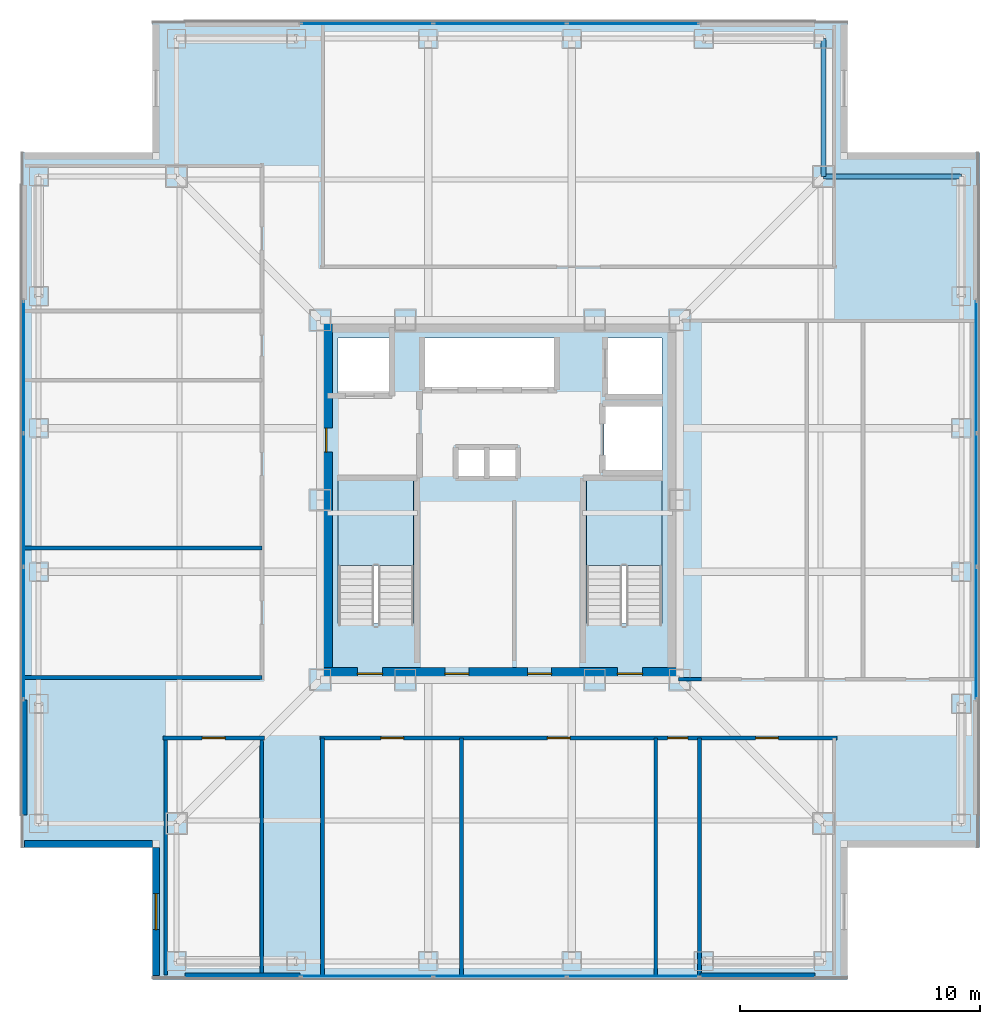
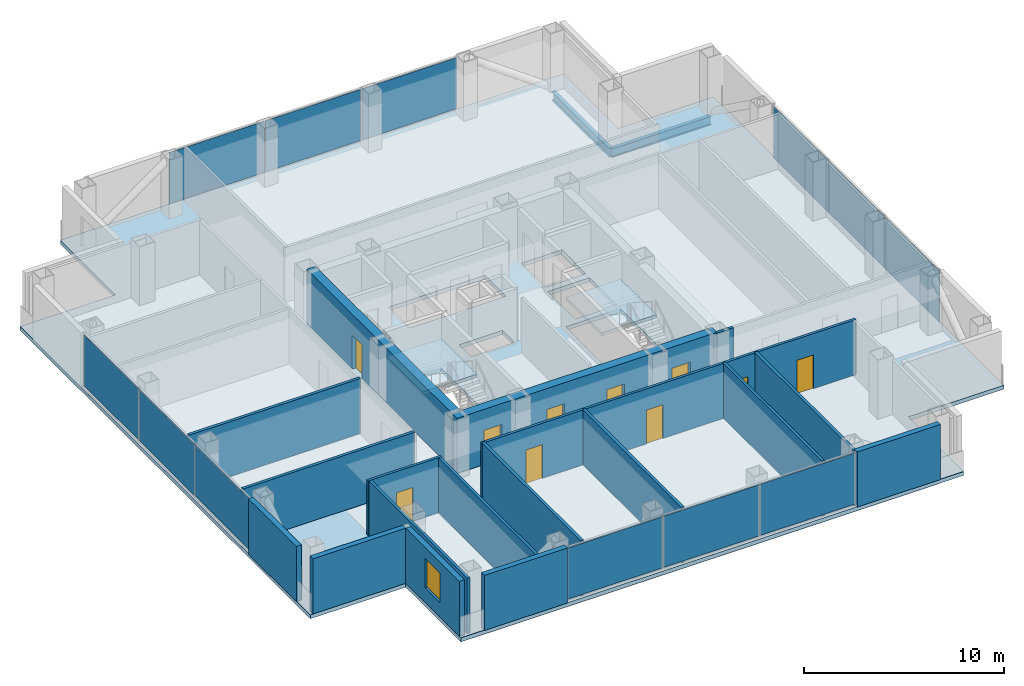
# One storey, part 9 of 17: 18 walls, 12 plates, 10 doors, 3 slabs, 2 beams, 1 window, 11 openings, 6 elements without a shape of their own.
"""IFC4 building model written with IfcOpenShell, lengths in metres."""

from ifc_helpers import new_model, si_unit, direction, frame, frame_2d, origin, origin_2d, place, context, subcontext, project, spatial, polyline, rectangle, i_section, outline, extrude, material, layer, layer_set, material_profile, profile_set, type_object, element, fill, aggregate, save


model = new_model("IFC4")

# Units and contexts
model_context = context("Model", 3, precision=1e-05, world=origin(), true_north=direction((0.0, 1.0)))
body_context = subcontext(model_context, "Body", "Model", "MODEL_VIEW")
ifc_project = project(units=[si_unit("LENGTHUNIT", "METRE"), si_unit("AREAUNIT", "SQUARE_METRE"), si_unit("VOLUMEUNIT", "CUBIC_METRE"), si_unit("PLANEANGLEUNIT", "RADIAN"), si_unit("MASSUNIT", "GRAM", prefix="KILO")], contexts=[model_context])

# Site, building, storey
site_placement = place(None, origin())
site = spatial("IfcSite", under=ifc_project, at=site_placement, CompositionType="ELEMENT")
building_placement = place(site_placement, origin())
building = spatial("IfcBuilding", under=site, at=building_placement, Name="Trevonay Congress Spire", CompositionType="ELEMENT")
storey_placement = place(building_placement, frame((0.0, 0.0, 213.0)))
storey = spatial("IfcBuildingStorey", under=building, at=storey_placement, Name="L55", CompositionType="ELEMENT", Elevation=213.0)

# Beams
ifc_material_1 = material(Name="Steel ASTM A572 Grade 50", Category="steel")
ifc_material_profile = material_profile(ifc_material_1, i_section(OverallWidth=0.2119140625, OverallDepth=0.5439453125, WebThickness=0.01318359375, FlangeThickness=0.021240234375, FilletRadius=0.014892578125, at=origin_2d()), Name="W530x123")
ifc_profile_set = profile_set([ifc_material_profile], Name="Steel ASTM A572 Grade 50")
beam_type = type_object("IfcBeamType", Name="BM-RING-W530X123", PredefinedType="BEAM", material=ifc_profile_set)
for number, where, z_axis, x_axis, name in (
    (1, (13.5, 19.25, -0.511962890625), (0.0, -1.0, 0.0), (1.0, 0.0, 0.0), "L55 structural beam BM-L55-N1NE"),
    (2, (19.25, 13.5, -0.511962890625), (-1.0, 0.0, 0.0), (0.0, -1.0, 0.0), "L55 structural beam BM-L55-N2NE"),
):
    element("IfcBeam", number, at=place(storey_placement, frame(where, z_axis=z_axis, x_axis=x_axis)), inside=storey, type_object=beam_type, Name=name, PredefinedType="BEAM", context=body_context, shape_type="SweptSolid", body=[
        extrude(i_section(OverallWidth=0.2119140625, OverallDepth=0.5439453125, WebThickness=0.01318359375, FlangeThickness=0.021240234375, FilletRadius=0.014892578125, at=origin_2d()), origin(), (0.0, 0.0, 1.0), 5.75),
    ])

# Curtain wall, plates
ifc_material_2 = material(Name="Pale Anodised Aluminium EN AW-6063-T6", Category="aluminium")
ifc_layer_1 = layer(ifc_material_2, 0.169921875, Name="Pale Anodised Aluminium EN AW-6063-T6")
ifc_layer_set_1 = layer_set([ifc_layer_1], Name="Pale Anodised Aluminium EN AW-6063-T6")
curtain_wall_type = type_object("IfcCurtainWallType", Name="CW-SYS04-CORP-PALE-METAL", PredefinedType="NOTDEFINED", material=ifc_layer_set_1)
curtain_wall_1_placement = place(storey_placement, origin())
curtain_wall_1 = element("IfcCurtainWall", 3, at=curtain_wall_1_placement, inside=storey, type_object=curtain_wall_type, Name="L55 S unitised curtain wall", PredefinedType="NOTDEFINED")
ifc_material_3 = material(Name="Insulated Low-E Vision Glass IGU", Category="glass")
ifc_layer_2 = layer(ifc_material_3, 0.035888671875, Name="Insulated Low-E Vision Glass IGU")
ifc_layer_set_2 = layer_set([ifc_layer_2], Name="Insulated Low-E Vision Glass IGU")
plate_type = type_object("IfcPlateType", Name="CW-PANEL-IGU36-SILVER", PredefinedType="CURTAIN_PANEL", material=ifc_layer_set_2)
plate_1_placement = place(storey_placement, frame((-5.5517578125, -19.8798828125, 0.119873046875), z_axis=(0.0, 0.0, 1.0), x_axis=(1.0, 0.0, 0.0)))
plate_1 = element("IfcPlate", 4, at=plate_1_placement, type_object=plate_type, Name="CW04 panel 1.1", PredefinedType="CURTAIN_PANEL", context=body_context, shape_type="SweptSolid", body=[
    extrude(rectangle(XDim=5.4765625, YDim=0.035888671875, at=origin_2d()), origin(), (0.0, 0.0, 1.0), 3.1201171875),
])
plate_2_placement = place(storey_placement, frame((0.0, -19.8798828125, 0.119873046875), z_axis=(0.0, 0.0, 1.0), x_axis=(1.0, 0.0, 0.0)))
plate_2 = element("IfcPlate", 5, at=plate_2_placement, type_object=plate_type, Name="CW04 panel 2.1", PredefinedType="CURTAIN_PANEL", context=body_context, shape_type="SweptSolid", body=[
    extrude(rectangle(XDim=5.506591796875, YDim=0.035888671875, at=origin_2d()), origin(), (0.0, 0.0, 1.0), 3.1201171875),
])
plate_3_placement = place(storey_placement, frame((5.5517578125, -19.8798828125, 0.119873046875), z_axis=(0.0, 0.0, 1.0), x_axis=(1.0, 0.0, 0.0)))
plate_3 = element("IfcPlate", 6, at=plate_3_placement, type_object=plate_type, Name="CW04 panel 3.1", PredefinedType="CURTAIN_PANEL", context=body_context, shape_type="SweptSolid", body=[
    extrude(rectangle(XDim=5.4765625, YDim=0.035888671875, at=origin_2d()), origin(), (0.0, 0.0, 1.0), 3.1201171875),
])
aggregate(curtain_wall_1, [plate_1, plate_2, plate_3])

curtain_wall_2_placement = place(storey_placement, origin())
curtain_wall_2 = element("IfcCurtainWall", 7, at=curtain_wall_2_placement, inside=storey, type_object=curtain_wall_type, Name="L55 N unitised curtain wall", PredefinedType="NOTDEFINED")
plate_4_placement = place(storey_placement, frame((-5.5517578125, 19.8798828125, 0.119873046875), z_axis=(0.0, 0.0, 1.0), x_axis=(1.0, 0.0, 0.0)))
plate_4 = element("IfcPlate", 8, at=plate_4_placement, type_object=plate_type, Name="CW04 panel 1.1", PredefinedType="CURTAIN_PANEL", context=body_context, shape_type="SweptSolid", body=[
    extrude(rectangle(XDim=5.4765625, YDim=0.035888671875, at=origin_2d()), origin(), (0.0, 0.0, 1.0), 3.1201171875),
])
plate_5_placement = place(storey_placement, frame((0.0, 19.8798828125, 0.119873046875), z_axis=(0.0, 0.0, 1.0), x_axis=(1.0, 0.0, 0.0)))
plate_5 = element("IfcPlate", 9, at=plate_5_placement, type_object=plate_type, Name="CW04 panel 2.1", PredefinedType="CURTAIN_PANEL", context=body_context, shape_type="SweptSolid", body=[
    extrude(rectangle(XDim=5.506591796875, YDim=0.035888671875, at=origin_2d()), origin(), (0.0, 0.0, 1.0), 3.1201171875),
])
plate_6_placement = place(storey_placement, frame((5.5517578125, 19.8798828125, 0.119873046875), z_axis=(0.0, 0.0, 1.0), x_axis=(1.0, 0.0, 0.0)))
plate_6 = element("IfcPlate", 10, at=plate_6_placement, type_object=plate_type, Name="CW04 panel 3.1", PredefinedType="CURTAIN_PANEL", context=body_context, shape_type="SweptSolid", body=[
    extrude(rectangle(XDim=5.4765625, YDim=0.035888671875, at=origin_2d()), origin(), (0.0, 0.0, 1.0), 3.1201171875),
])
aggregate(curtain_wall_2, [plate_4, plate_5, plate_6])

curtain_wall_3_placement = place(storey_placement, origin())
curtain_wall_3 = element("IfcCurtainWall", 11, at=curtain_wall_3_placement, inside=storey, type_object=curtain_wall_type, Name="L55 W unitised curtain wall", PredefinedType="NOTDEFINED")
plate_7_placement = place(storey_placement, frame((-19.8798828125, -5.5517578125, 0.119873046875), z_axis=(0.0, 0.0, 1.0), x_axis=(0.0, 1.0, 0.0)))
plate_7 = element("IfcPlate", 12, at=plate_7_placement, type_object=plate_type, Name="CW04 panel 1.1", PredefinedType="CURTAIN_PANEL", context=body_context, shape_type="SweptSolid", body=[
    extrude(rectangle(XDim=5.4765625, YDim=0.035888671875, at=origin_2d()), origin(), (0.0, 0.0, 1.0), 3.1201171875),
])
plate_8_placement = place(storey_placement, frame((-19.8798828125, 0.0, 0.119873046875), z_axis=(0.0, 0.0, 1.0), x_axis=(0.0, 1.0, 0.0)))
plate_8 = element("IfcPlate", 13, at=plate_8_placement, type_object=plate_type, Name="CW04 panel 2.1", PredefinedType="CURTAIN_PANEL", context=body_context, shape_type="SweptSolid", body=[
    extrude(rectangle(XDim=5.506591796875, YDim=0.035888671875, at=origin_2d()), origin(), (0.0, 0.0, 1.0), 3.1201171875),
])
plate_9_placement = place(storey_placement, frame((-19.8798828125, 5.5517578125, 0.119873046875), z_axis=(0.0, 0.0, 1.0), x_axis=(0.0, 1.0, 0.0)))
plate_9 = element("IfcPlate", 14, at=plate_9_placement, type_object=plate_type, Name="CW04 panel 3.1", PredefinedType="CURTAIN_PANEL", context=body_context, shape_type="SweptSolid", body=[
    extrude(rectangle(XDim=5.4765625, YDim=0.035888671875, at=origin_2d()), origin(), (0.0, 0.0, 1.0), 3.1201171875),
])
aggregate(curtain_wall_3, [plate_7, plate_8, plate_9])

curtain_wall_4_placement = place(storey_placement, origin())
curtain_wall_4 = element("IfcCurtainWall", 15, at=curtain_wall_4_placement, inside=storey, type_object=curtain_wall_type, Name="L55 E unitised curtain wall", PredefinedType="NOTDEFINED")
plate_10_placement = place(storey_placement, frame((19.8798828125, -5.5517578125, 0.119873046875), z_axis=(0.0, 0.0, 1.0), x_axis=(0.0, 1.0, 0.0)))
plate_10 = element("IfcPlate", 16, at=plate_10_placement, type_object=plate_type, Name="CW04 panel 1.1", PredefinedType="CURTAIN_PANEL", context=body_context, shape_type="SweptSolid", body=[
    extrude(rectangle(XDim=5.4765625, YDim=0.035888671875, at=origin_2d()), origin(), (0.0, 0.0, 1.0), 3.1201171875),
])
plate_11_placement = place(storey_placement, frame((19.8798828125, 0.0, 0.119873046875), z_axis=(0.0, 0.0, 1.0), x_axis=(0.0, 1.0, 0.0)))
plate_11 = element("IfcPlate", 17, at=plate_11_placement, type_object=plate_type, Name="CW04 panel 2.1", PredefinedType="CURTAIN_PANEL", context=body_context, shape_type="SweptSolid", body=[
    extrude(rectangle(XDim=5.506591796875, YDim=0.035888671875, at=origin_2d()), origin(), (0.0, 0.0, 1.0), 3.1201171875),
])
plate_12_placement = place(storey_placement, frame((19.8798828125, 5.5517578125, 0.119873046875), z_axis=(0.0, 0.0, 1.0), x_axis=(0.0, 1.0, 0.0)))
plate_12 = element("IfcPlate", 18, at=plate_12_placement, type_object=plate_type, Name="CW04 panel 3.1", PredefinedType="CURTAIN_PANEL", context=body_context, shape_type="SweptSolid", body=[
    extrude(rectangle(XDim=5.4765625, YDim=0.035888671875, at=origin_2d()), origin(), (0.0, 0.0, 1.0), 3.1201171875),
])
aggregate(curtain_wall_4, [plate_10, plate_11, plate_12])

# Stair, slab
ifc_material_4 = material(Name="Concrete C40/50", Category="concrete")
stair_type_1 = type_object("IfcStairType", Name="STR-ST-1", PredefinedType="HALF_TURN_STAIR", material=ifc_material_4)
stair_1_placement = place(storey_placement, origin())
stair_1 = element("IfcStair", 19, at=stair_1_placement, inside=storey, type_object=stair_type_1, Name="L55 Protected Exit Stair ST-1", PredefinedType="HALF_TURN_STAIR")
ifc_layer_3 = layer(ifc_material_4, 0.199951171875, Name="Concrete C40/50")
ifc_layer_set_3 = layer_set([ifc_layer_3], Name="Concrete C40/50")
slab_type_1 = type_object("IfcSlabType", Name="SLB-STAIR-LAND-200", PredefinedType="LANDING", material=ifc_layer_set_3)
slab_1_placement = place(storey_placement, frame((0.0, 0.0, 1.60009765625)))
slab_1 = element("IfcSlab", 20, at=slab_1_placement, type_object=slab_type_1, Name="ST-1 landing 1", PredefinedType="LANDING", context=body_context, shape_type="SweptSolid", body=[
    extrude(outline(polyline([(-3.60009765625, -2.72998046875), (-3.60009765625, 0.85009765625), (-6.75, 0.85009765625), (-6.75, -2.72998046875), (-3.60009765625, -2.72998046875)])), origin(), (0.0, 0.0, 1.0), 0.199951171875),
])
aggregate(stair_1, [slab_1])

stair_type_2 = type_object("IfcStairType", Name="STR-ST-2", PredefinedType="HALF_TURN_STAIR", material=ifc_material_4)
stair_2_placement = place(storey_placement, origin())
stair_2 = element("IfcStair", 21, at=stair_2_placement, inside=storey, type_object=stair_type_2, Name="L55 Protected Exit Stair ST-2", PredefinedType="HALF_TURN_STAIR")
slab_2_placement = place(storey_placement, frame((0.0, 0.0, 1.60009765625)))
slab_2 = element("IfcSlab", 22, at=slab_2_placement, type_object=slab_type_1, Name="ST-2 landing 1", PredefinedType="LANDING", context=body_context, shape_type="SweptSolid", body=[
    extrude(outline(polyline([(6.75, -2.72998046875), (6.75, 0.85009765625), (3.60009765625, 0.85009765625), (3.60009765625, -2.72998046875), (6.75, -2.72998046875)])), origin(), (0.0, 0.0, 1.0), 0.199951171875),
])
aggregate(stair_2, [slab_2])

# Slab
ifc_layer_4 = layer(ifc_material_4, 0.239990234375, Name="Concrete C40/50")
ifc_layer_set_4 = layer_set([ifc_layer_4], Name="Concrete C40/50")
slab_type_2 = type_object("IfcSlabType", Name="SLB-TOW2-240", PredefinedType="FLOOR", material=ifc_layer_set_4)
slab_3_placement = place(storey_placement, frame((0.0, 0.0, -0.239990234375)))
element("IfcSlab", 23, at=slab_3_placement, inside=storey, type_object=slab_type_2, Name="L55 structural floor slab", PredefinedType="FLOOR", context=body_context, shape_type="SweptSolid", body=[
    extrude(outline(polyline([(-14.5, -20.0), (14.5, -20.0), (14.5, -14.5), (20.0, -14.5), (20.0, 14.5), (14.5, 14.5), (14.5, 20.0), (-14.5, 20.0), (-14.5, 14.5), (-20.0, 14.5), (-20.0, -14.5), (-14.5, -14.5), (-14.5, -20.0)]), holes=[polyline([(-3.60009765625, -5.14990234375), (-3.60009765625, 0.85009765625), (-6.75, 0.85009765625), (-6.75, -5.14990234375), (-3.60009765625, -5.14990234375)]), polyline([(6.75, -5.14990234375), (6.75, 0.85009765625), (3.60009765625, 0.85009765625), (3.60009765625, -5.14990234375), (6.75, -5.14990234375)]), polyline([(-3.199951171875, 4.64990234375), (2.340087890625, 4.64990234375), (2.340087890625, 6.75), (-3.199951171875, 6.75), (-3.199951171875, 4.64990234375)]), polyline([(-6.75, 4.35009765625), (-4.449951171875, 4.35009765625), (-4.449951171875, 6.75), (-6.75, 6.75), (-6.75, 4.35009765625)]), polyline([(4.449951171875, 4.35009765625), (6.75, 4.35009765625), (6.75, 6.75), (4.449951171875, 6.75), (4.449951171875, 4.35009765625)]), polyline([(4.35009765625, 1.199951171875), (6.75, 1.199951171875), (6.75, 3.949951171875), (4.35009765625, 3.949951171875), (4.35009765625, 1.199951171875)]), polyline([(-1.800048828125, 0.949951171875), (0.699951171875, 0.949951171875), (0.699951171875, 2.14990234375), (-1.800048828125, 2.14990234375), (-1.800048828125, 0.949951171875)])]), origin(), (0.0, 0.0, 1.0), 0.239990234375),
])

# Wall, openings, doors
ifc_material_5 = material(Name="Concrete C50/60", Category="concrete")
ifc_layer_5 = layer(ifc_material_5, 0.5, Name="Concrete C50/60")
ifc_layer_set_5 = layer_set([ifc_layer_5], Name="Concrete C50/60")
wall_type_1 = type_object("IfcWallType", Name="WAL-CORE-500", PredefinedType="SHEAR", material=ifc_layer_set_5)
wall_1_placement = place(storey_placement, frame((-7.5, -7.25, 0.0), z_axis=(0.0, 0.0, 1.0), x_axis=(1.0, 0.0, 0.0)))
wall_1 = element("IfcWall", 24, at=wall_1_placement, inside=storey, type_object=wall_type_1, Name="L55 South structural core shear wall", PredefinedType="SHEAR", context=body_context, shape_type="SweptSolid", body=[
    extrude(rectangle(XDim=15.0, YDim=0.5, at=frame_2d((7.5, 0.0))), origin(), (0.0, 0.0, 1.0), 3.360107421875),
])
opening_1_placement = place(wall_1_placement, frame((1.550048828125, 0.0, 0.0)))
opening_1 = element("IfcOpeningElement", 25, at=opening_1_placement, cuts=wall_1, Name="Opening D05", PredefinedType="OPENING", context=body_context, shape_type="SweptSolid", body=[
    extrude(rectangle(XDim=1.050048828125, YDim=2.080078125, at=frame_2d((0.52490234375, 1.0400390625))), frame((0.0, 0.260009765625, 0.0), z_axis=(0.0, -1.0, 0.0), x_axis=(1.0, 0.0, 0.0)), (0.0, 0.0, 1.0), 0.52001953125),
])
opening_2_placement = place(wall_1_placement, frame((12.39990234375, 0.0, 0.0)))
opening_2 = element("IfcOpeningElement", 26, at=opening_2_placement, cuts=wall_1, Name="Opening D05", PredefinedType="OPENING", context=body_context, shape_type="SweptSolid", body=[
    extrude(rectangle(XDim=1.050048828125, YDim=2.080078125, at=frame_2d((0.52490234375, 1.0400390625))), frame((0.0, 0.260009765625, 0.0), z_axis=(0.0, -1.0, 0.0), x_axis=(1.0, 0.0, 0.0)), (0.0, 0.0, 1.0), 0.52001953125),
])
opening_3_placement = place(wall_1_placement, frame((5.199951171875, 0.0, 0.0)))
opening_3 = element("IfcOpeningElement", 27, at=opening_3_placement, cuts=wall_1, Name="Opening D06", PredefinedType="OPENING", context=body_context, shape_type="SweptSolid", body=[
    extrude(rectangle(XDim=1.0, YDim=2.080078125, at=frame_2d((0.5, 1.0400390625))), frame((0.0, 0.260009765625, 0.0), z_axis=(0.0, -1.0, 0.0), x_axis=(1.0, 0.0, 0.0)), (0.0, 0.0, 1.0), 0.52001953125),
])
opening_4_placement = place(wall_1_placement, frame((8.64990234375, 0.0, 0.0)))
opening_4 = element("IfcOpeningElement", 28, at=opening_4_placement, cuts=wall_1, Name="Opening D06", PredefinedType="OPENING", context=body_context, shape_type="SweptSolid", body=[
    extrude(rectangle(XDim=1.0, YDim=2.080078125, at=frame_2d((0.5, 1.0400390625))), frame((0.0, 0.260009765625, 0.0), z_axis=(0.0, -1.0, 0.0), x_axis=(1.0, 0.0, 0.0)), (0.0, 0.0, 1.0), 0.52001953125),
])
door_type_1 = type_object("IfcDoorType", Name="DOR-FIRE-100", OperationType="NOTDEFINED", PredefinedType="DOOR", material=ifc_material_1)
door_1_placement = place(opening_3_placement, origin())
door_1 = element("IfcDoor", 29, at=door_1_placement, inside=storey, type_object=door_type_1, Name="L55 South Core Room 1 Door", OperationType="SINGLE_SWING_LEFT", OverallHeight=2.080078125, OverallWidth=1.0, PredefinedType="DOOR", context=body_context, shape_type="SweptSolid", body=[
    extrude(rectangle(XDim=1.0, YDim=2.080078125, at=frame_2d((0.5, 1.0400390625))), frame((0.0, 0.02490234375, 0.0), z_axis=(0.0, -1.0, 0.0), x_axis=(1.0, 0.0, 0.0)), (0.0, 0.0, 1.0), 0.050048828125),
])
fill(opening_3, door_1)
door_2_placement = place(opening_4_placement, origin())
door_2 = element("IfcDoor", 30, at=door_2_placement, inside=storey, type_object=door_type_1, Name="L55 South Core Room 2 Door", OperationType="SINGLE_SWING_RIGHT", OverallHeight=2.080078125, OverallWidth=1.0, PredefinedType="DOOR", context=body_context, shape_type="SweptSolid", body=[
    extrude(rectangle(XDim=1.0, YDim=2.080078125, at=frame_2d((0.5, 1.0400390625))), frame((0.0, 0.02490234375, 0.0), z_axis=(0.0, -1.0, 0.0), x_axis=(1.0, 0.0, 0.0)), (0.0, 0.0, 1.0), 0.050048828125),
])
fill(opening_4, door_2)
door_type_2 = type_object("IfcDoorType", Name="DOR-STAIR-110", OperationType="NOTDEFINED", PredefinedType="DOOR", material=ifc_material_1)
door_3_placement = place(opening_1_placement, origin())
door_3 = element("IfcDoor", 31, at=door_3_placement, inside=storey, type_object=door_type_2, Name="L55 Protected Stair ST-1 Door", OperationType="SINGLE_SWING_RIGHT", OverallHeight=2.080078125, OverallWidth=1.050048828125, PredefinedType="DOOR", context=body_context, shape_type="SweptSolid", body=[
    extrude(rectangle(XDim=1.050048828125, YDim=2.080078125, at=frame_2d((0.52490234375, 1.0400390625))), frame((0.0, 0.02490234375, 0.0), z_axis=(0.0, -1.0, 0.0), x_axis=(1.0, 0.0, 0.0)), (0.0, 0.0, 1.0), 0.050048828125),
])
fill(opening_1, door_3)
door_4_placement = place(opening_2_placement, origin())
door_4 = element("IfcDoor", 32, at=door_4_placement, inside=storey, type_object=door_type_2, Name="L55 Protected Stair ST-2 Door", OperationType="SINGLE_SWING_LEFT", OverallHeight=2.080078125, OverallWidth=1.050048828125, PredefinedType="DOOR", context=body_context, shape_type="SweptSolid", body=[
    extrude(rectangle(XDim=1.050048828125, YDim=2.080078125, at=frame_2d((0.52490234375, 1.0400390625))), frame((0.0, 0.02490234375, 0.0), z_axis=(0.0, -1.0, 0.0), x_axis=(1.0, 0.0, 0.0)), (0.0, 0.0, 1.0), 0.050048828125),
])
fill(opening_2, door_4)

# Wall, opening, door
wall_2_placement = place(storey_placement, frame((-7.25, -7.5, 0.0), z_axis=(0.0, 0.0, 1.0), x_axis=(0.0, 1.0, 0.0)))
wall_2 = element("IfcWall", 33, at=wall_2_placement, inside=storey, type_object=wall_type_1, Name="L55 West structural core shear wall", PredefinedType="SHEAR", context=body_context, shape_type="SweptSolid", body=[
    extrude(rectangle(XDim=15.0, YDim=0.5, at=frame_2d((7.5, 0.0))), origin(), (0.0, 0.0, 1.0), 3.360107421875),
])
opening_5_placement = place(wall_2_placement, frame((9.5, 0.0, 0.0)))
opening_5 = element("IfcOpeningElement", 34, at=opening_5_placement, cuts=wall_2, Name="Opening D06", PredefinedType="OPENING", context=body_context, shape_type="SweptSolid", body=[
    extrude(rectangle(XDim=1.0, YDim=2.080078125, at=frame_2d((0.5, 1.0400390625))), frame((0.0, 0.260009765625, 0.0), z_axis=(0.0, -1.0, 0.0), x_axis=(1.0, 0.0, 0.0)), (0.0, 0.0, 1.0), 0.52001953125),
])
door_5_placement = place(opening_5_placement, origin())
door_5 = element("IfcDoor", 35, at=door_5_placement, inside=storey, type_object=door_type_1, Name="L55 Firefighting Lift Lobby West Corridor Door", OperationType="SINGLE_SWING_RIGHT", OverallHeight=2.080078125, OverallWidth=1.0, PredefinedType="DOOR", context=body_context, shape_type="SweptSolid", body=[
    extrude(rectangle(XDim=1.0, YDim=2.080078125, at=frame_2d((0.5, 1.0400390625))), frame((0.0, 0.02490234375, 0.0), z_axis=(0.0, -1.0, 0.0), x_axis=(1.0, 0.0, 0.0)), (0.0, 0.0, 1.0), 0.050048828125),
])
fill(opening_5, door_5)

ifc_layer_6 = layer(ifc_material_4, 0.14990234375, Name="Concrete C40/50")
ifc_layer_set_6 = layer_set([ifc_layer_6], Name="Concrete C40/50")
wall_type_2 = type_object("IfcWallType", Name="WAL-CORR-150", PredefinedType="PARTITIONING", material=ifc_layer_set_6)
wall_3_placement = place(storey_placement, frame((-14.070068359375, -9.929931640625, 0.0), z_axis=(0.0, 0.0, 1.0), x_axis=(1.0, 0.0, 0.0)))
wall_3 = element("IfcWall", 36, at=wall_3_placement, inside=storey, type_object=wall_type_2, Name="L55 interior wall WP-L55SW-COR", PredefinedType="PARTITIONING", context=body_context, shape_type="SweptSolid", body=[
    extrude(rectangle(XDim=4.239990234375, YDim=0.14990234375, at=frame_2d((2.1201171875, 0.0))), origin(), (0.0, 0.0, 1.0), 3.360107421875),
])
opening_6_placement = place(wall_3_placement, frame((1.64501953125, 0.0, 0.0)))
opening_6 = element("IfcOpeningElement", 37, at=opening_6_placement, cuts=wall_3, Name="Opening D07", PredefinedType="OPENING", context=body_context, shape_type="SweptSolid", body=[
    extrude(rectangle(XDim=0.949951171875, YDim=2.06005859375, at=frame_2d((0.47509765625, 1.030029296875))), frame((0.0, 0.0849609375, 0.0), z_axis=(0.0, -1.0, 0.0), x_axis=(1.0, 0.0, 0.0)), (0.0, 0.0, 1.0), 0.169921875),
])
door_type_3 = type_object("IfcDoorType", Name="DOR-OFFICE-95", OperationType="NOTDEFINED", PredefinedType="DOOR", material=ifc_material_2)
door_6_placement = place(opening_6_placement, origin())
door_6 = element("IfcDoor", 38, at=door_6_placement, inside=storey, type_object=door_type_3, Name="L55 Chief Risk Officer Office Door", OperationType="SINGLE_SWING_RIGHT", OverallHeight=2.06005859375, OverallWidth=0.949951171875, PredefinedType="DOOR", context=body_context, shape_type="SweptSolid", body=[
    extrude(rectangle(XDim=0.949951171875, YDim=2.06005859375, at=frame_2d((0.47509765625, 1.030029296875))), frame((0.0, 0.02490234375, 0.0), z_axis=(0.0, -1.0, 0.0), x_axis=(1.0, 0.0, 0.0)), (0.0, 0.0, 1.0), 0.050048828125),
])
fill(opening_6, door_6)

# Wall, openings, doors
wall_4_placement = place(storey_placement, frame((-7.52001953125, -9.929931640625, 0.0), z_axis=(0.0, 0.0, 1.0), x_axis=(1.0, 0.0, 0.0)))
wall_4 = element("IfcWall", 39, at=wall_4_placement, inside=storey, type_object=wall_type_2, Name="L55 interior wall WP-L55SE-COR", PredefinedType="PARTITIONING", context=body_context, shape_type="SweptSolid", body=[
    extrude(rectangle(XDim=21.590087890625, YDim=0.14990234375, at=frame_2d((10.794921875, 0.0))), origin(), (0.0, 0.0, 1.0), 3.360107421875),
])
opening_7_placement = place(wall_4_placement, frame((2.544921875, 0.0, 0.0)))
opening_7 = element("IfcOpeningElement", 40, at=opening_7_placement, cuts=wall_4, Name="Opening D07", PredefinedType="OPENING", context=body_context, shape_type="SweptSolid", body=[
    extrude(rectangle(XDim=0.949951171875, YDim=2.06005859375, at=frame_2d((0.47509765625, 1.030029296875))), frame((0.0, 0.0849609375, 0.0), z_axis=(0.0, -1.0, 0.0), x_axis=(1.0, 0.0, 0.0)), (0.0, 0.0, 1.0), 0.169921875),
])
opening_8_placement = place(wall_4_placement, frame((9.4951171875, 0.0, 0.0)))
opening_8 = element("IfcOpeningElement", 41, at=opening_8_placement, cuts=wall_4, Name="Opening D07", PredefinedType="OPENING", context=body_context, shape_type="SweptSolid", body=[
    extrude(rectangle(XDim=0.949951171875, YDim=2.06005859375, at=frame_2d((0.47509765625, 1.030029296875))), frame((0.0, 0.0849609375, 0.0), z_axis=(0.0, -1.0, 0.0), x_axis=(1.0, 0.0, 0.0)), (0.0, 0.0, 1.0), 0.169921875),
])
opening_9_placement = place(wall_4_placement, frame((14.510009765625, 0.0, 0.0)))
opening_9 = element("IfcOpeningElement", 42, at=opening_9_placement, cuts=wall_4, Name="Opening D10", PredefinedType="OPENING", context=body_context, shape_type="SweptSolid", body=[
    extrude(rectangle(XDim=0.85009765625, YDim=2.050048828125, at=frame_2d((0.425048828125, 1.02490234375))), frame((0.0, 0.0849609375, 0.0), z_axis=(0.0, -1.0, 0.0), x_axis=(1.0, 0.0, 0.0)), (0.0, 0.0, 1.0), 0.169921875),
])
opening_10_placement = place(wall_4_placement, frame((18.18505859375, 0.0, 0.0)))
opening_10 = element("IfcOpeningElement", 43, at=opening_10_placement, cuts=wall_4, Name="Opening D07", PredefinedType="OPENING", context=body_context, shape_type="SweptSolid", body=[
    extrude(rectangle(XDim=0.949951171875, YDim=2.06005859375, at=frame_2d((0.47509765625, 1.030029296875))), frame((0.0, 0.0849609375, 0.0), z_axis=(0.0, -1.0, 0.0), x_axis=(1.0, 0.0, 0.0)), (0.0, 0.0, 1.0), 0.169921875),
])
door_7_placement = place(opening_7_placement, origin())
door_7 = element("IfcDoor", 44, at=door_7_placement, inside=storey, type_object=door_type_3, Name="L55 Fixed-Income Quant Office Door", OperationType="SINGLE_SWING_LEFT", OverallHeight=2.06005859375, OverallWidth=0.949951171875, PredefinedType="DOOR", context=body_context, shape_type="SweptSolid", body=[
    extrude(rectangle(XDim=0.949951171875, YDim=2.06005859375, at=frame_2d((0.47509765625, 1.030029296875))), frame((0.0, 0.02490234375, 0.0), z_axis=(0.0, -1.0, 0.0), x_axis=(1.0, 0.0, 0.0)), (0.0, 0.0, 1.0), 0.050048828125),
])
fill(opening_7, door_7)
door_8_placement = place(opening_8_placement, origin())
door_8 = element("IfcDoor", 45, at=door_8_placement, inside=storey, type_object=door_type_3, Name="L55 Commodities Desk Office Door", OperationType="SINGLE_SWING_RIGHT", OverallHeight=2.06005859375, OverallWidth=0.949951171875, PredefinedType="DOOR", context=body_context, shape_type="SweptSolid", body=[
    extrude(rectangle(XDim=0.949951171875, YDim=2.06005859375, at=frame_2d((0.47509765625, 1.030029296875))), frame((0.0, 0.02490234375, 0.0), z_axis=(0.0, -1.0, 0.0), x_axis=(1.0, 0.0, 0.0)), (0.0, 0.0, 1.0), 0.050048828125),
])
fill(opening_8, door_8)
door_9_placement = place(opening_10_placement, origin())
door_9 = element("IfcDoor", 46, at=door_9_placement, inside=storey, type_object=door_type_3, Name="L55 Floor Supplies and Copy Room Door", OperationType="SINGLE_SWING_RIGHT", OverallHeight=2.06005859375, OverallWidth=0.949951171875, PredefinedType="DOOR", context=body_context, shape_type="SweptSolid", body=[
    extrude(rectangle(XDim=0.949951171875, YDim=2.06005859375, at=frame_2d((0.47509765625, 1.030029296875))), frame((0.0, 0.02490234375, 0.0), z_axis=(0.0, -1.0, 0.0), x_axis=(1.0, 0.0, 0.0)), (0.0, 0.0, 1.0), 0.050048828125),
])
fill(opening_10, door_9)
door_type_4 = type_object("IfcDoorType", Name="DOR-WC-85", OperationType="NOTDEFINED", PredefinedType="DOOR", material=ifc_material_2)
door_10_placement = place(opening_9_placement, origin())
door_10 = element("IfcDoor", 47, at=door_10_placement, inside=storey, type_object=door_type_4, Name="L55 Accessible WC Door", OperationType="SINGLE_SWING_LEFT", OverallHeight=2.050048828125, OverallWidth=0.85009765625, PredefinedType="DOOR", context=body_context, shape_type="SweptSolid", body=[
    extrude(rectangle(XDim=0.85009765625, YDim=2.050048828125, at=frame_2d((0.425048828125, 1.02490234375))), frame((0.0, 0.02490234375, 0.0), z_axis=(0.0, -1.0, 0.0), x_axis=(1.0, 0.0, 0.0)), (0.0, 0.0, 1.0), 0.050048828125),
])
fill(opening_9, door_10)

# Walls
wall_5_placement = place(storey_placement, frame((7.449951171875, -7.47998046875, 0.0), z_axis=(0.0, 0.0, 1.0), x_axis=(1.0, 0.0, 0.0)))
element("IfcWall", 48, at=wall_5_placement, inside=storey, type_object=wall_type_2, Name="L55 interior wall WP-L55E-STUB", PredefinedType="PARTITIONING", context=body_context, shape_type="SweptSolid", body=[
    extrude(rectangle(XDim=0.949951171875, YDim=0.14990234375, at=frame_2d((0.47509765625, 0.0))), origin(), (0.0, 0.0, 1.0), 3.360107421875),
])
ifc_material_6 = material(Name="Precast concrete C40/50", Category="concrete")
ifc_layer_7 = layer(ifc_material_6, 0.300048828125, Name="Precast concrete C40/50")
ifc_layer_set_7 = layer_set([ifc_layer_7], Name="Precast concrete C40/50")
wall_type_3 = type_object("IfcWallType", Name="WAL-EXT-PRECAST-300", PredefinedType="SOLIDWALL", material=ifc_layer_set_7)
for number, where, z_axis, x_axis, name in (
    (49, (-13.14990234375, -19.8798828125, 0.0), (0.0, 0.0, 1.0), (1.0, 0.0, 0.0), "L55 SL braced-bay exterior pier wall"),
    (50, (8.35009765625, -19.8798828125, 0.0), (0.0, 0.0, 1.0), (1.0, 0.0, 0.0), "L55 SR braced-bay exterior pier wall"),
    (51, (-19.8798828125, -13.14990234375, 0.0), (0.0, 0.0, 1.0), (0.0, 1.0, 0.0), "L55 WL braced-bay exterior pier wall"),
):
    element("IfcWall", number, at=place(storey_placement, frame(where, z_axis=z_axis, x_axis=x_axis)), inside=storey, type_object=wall_type_3, Name=name, PredefinedType="SOLIDWALL", context=body_context, shape_type="SweptSolid", body=[
        extrude(rectangle(XDim=4.7998046875, YDim=0.300048828125, at=frame_2d((2.39990234375, 0.0))), origin(), (0.0, 0.0, 1.0), 3.360107421875),
    ])

# Wall, opening, window
wall_6_placement = place(storey_placement, frame((-14.35009765625, -19.85009765625, 0.0), z_axis=(0.0, 0.0, 1.0), x_axis=(0.0, 1.0, 0.0)))
wall_6 = element("IfcWall", 52, at=wall_6_placement, inside=storey, type_object=wall_type_3, Name="L55 SW re-entrant notch exterior wall 1", PredefinedType="SOLIDWALL", context=body_context, shape_type="SweptSolid", body=[
    extrude(rectangle(XDim=5.35009765625, YDim=0.300048828125, at=frame_2d((2.675048828125, 0.0))), origin(), (0.0, 0.0, 1.0), 3.360107421875),
])
opening_11_placement = place(wall_6_placement, frame((1.925048828125, 0.0, 0.89990234375)))
opening_11 = element("IfcOpeningElement", 53, at=opening_11_placement, cuts=wall_6, Name="Opening WN03", PredefinedType="OPENING", context=body_context, shape_type="SweptSolid", body=[
    extrude(rectangle(XDim=1.5, YDim=1.800048828125, at=frame_2d((0.75, 0.89990234375))), frame((0.0, 0.16015625, 0.0), z_axis=(0.0, -1.0, 0.0), x_axis=(1.0, 0.0, 0.0)), (0.0, 0.0, 1.0), 0.320068359375),
])
window_type = type_object("IfcWindowType", Name="WIN-NOTCH-150X180", PartitioningType="SINGLE_PANEL", PredefinedType="WINDOW", material=ifc_material_3)
window_placement = place(opening_11_placement, origin())
window = element("IfcWindow", 54, at=window_placement, inside=storey, type_object=window_type, Name="L55 SW corner notch window", OverallHeight=1.800048828125, OverallWidth=1.5, PartitioningType="SINGLE_PANEL", PredefinedType="WINDOW", context=body_context, shape_type="SweptSolid", body=[
    extrude(rectangle(XDim=1.5, YDim=1.800048828125, at=frame_2d((0.75, 0.89990234375))), frame((0.0, 0.030029296875, 0.0), z_axis=(0.0, -1.0, 0.0), x_axis=(1.0, 0.0, 0.0)), (0.0, 0.0, 1.0), 0.06005859375),
])
fill(opening_11, window)

# Walls
wall_7_placement = place(storey_placement, frame((-19.85009765625, -14.35009765625, 0.0), z_axis=(0.0, 0.0, 1.0), x_axis=(1.0, 0.0, 0.0)))
element("IfcWall", 55, at=wall_7_placement, inside=storey, type_object=wall_type_3, Name="L55 SW re-entrant notch exterior wall 2", PredefinedType="SOLIDWALL", context=body_context, shape_type="SweptSolid", body=[
    extrude(rectangle(XDim=5.35009765625, YDim=0.300048828125, at=frame_2d((2.675048828125, 0.0))), origin(), (0.0, 0.0, 1.0), 3.360107421875),
])
ifc_layer_8 = layer(ifc_material_4, 0.14990234375, Name="Concrete C40/50")
ifc_layer_set_8 = layer_set([ifc_layer_8], Name="Concrete C40/50")
wall_type_4 = type_object("IfcWallType", Name="WAL-PART-150", PredefinedType="PARTITIONING", material=ifc_layer_set_8)
for number, where, z_axis, x_axis, name in (
    (56, (-13.949951171875, -19.820068359375, 0.0), (0.0, 0.0, 1.0), (0.0, 1.0, 0.0), "L55 interior wall WP-L55SW-DIV1"),
    (57, (-9.949951171875, -19.820068359375, 0.0), (0.0, 0.0, 1.0), (0.0, 1.0, 0.0), "L55 interior wall WP-L55SW-DIV2"),
    (58, (6.5, -19.820068359375, 0.0), (0.0, 0.0, 1.0), (0.0, 1.0, 0.0), "L55 interior wall WP-L55SE-DIV3"),
):
    element("IfcWall", number, at=place(storey_placement, frame(where, z_axis=z_axis, x_axis=x_axis)), inside=storey, type_object=wall_type_4, Name=name, PredefinedType="PARTITIONING", context=body_context, shape_type="SweptSolid", body=[
        extrude(rectangle(XDim=9.89013671875, YDim=0.14990234375, at=frame_2d((4.945068359375, 0.0))), origin(), (0.0, 0.0, 1.0), 3.360107421875),
    ])
ifc_layer_9 = layer(ifc_material_4, 0.1650390625, Name="Concrete C40/50")
ifc_layer_set_9 = layer_set([ifc_layer_9], Name="Concrete C40/50")
wall_type_5 = type_object("IfcWallType", Name="WAL-WET-165", PredefinedType="PLUMBINGWALL", material=ifc_layer_set_9)
for number, where, z_axis, x_axis, name in (
    (59, (8.330078125, -19.820068359375, 0.0), (0.0, 0.0, 1.0), (0.0, 1.0, 0.0), "L55 interior wall WP-L55SE-WCS3"),
    (60, (-7.39990234375, -19.820068359375, 0.0), (0.0, 0.0, 1.0), (0.0, 1.0, 0.0), "L55 interior wall WP-L55SE-DIV1"),
    (61, (-1.60009765625, -19.820068359375, 0.0), (0.0, 0.0, 1.0), (0.0, 1.0, 0.0), "L55 interior wall WP-L55SE-DIV2"),
    (62, (-19.820068359375, -7.39990234375, 0.0), (0.0, 0.0, 1.0), (1.0, 0.0, 0.0), "L55 interior wall WP-L55NW-DIV1"),
    (63, (-19.820068359375, -2.0, 0.0), (0.0, 0.0, 1.0), (1.0, 0.0, 0.0), "L55 interior wall WP-L55NW-DIV2"),
):
    element("IfcWall", number, at=place(storey_placement, frame(where, z_axis=z_axis, x_axis=x_axis)), inside=storey, type_object=wall_type_5, Name=name, PredefinedType="PLUMBINGWALL", context=body_context, shape_type="SweptSolid", body=[
        extrude(rectangle(XDim=9.89013671875, YDim=0.1650390625, at=frame_2d((4.945068359375, 0.0))), origin(), (0.0, 0.0, 1.0), 3.360107421875),
    ])

save(model, "model.ifc")
